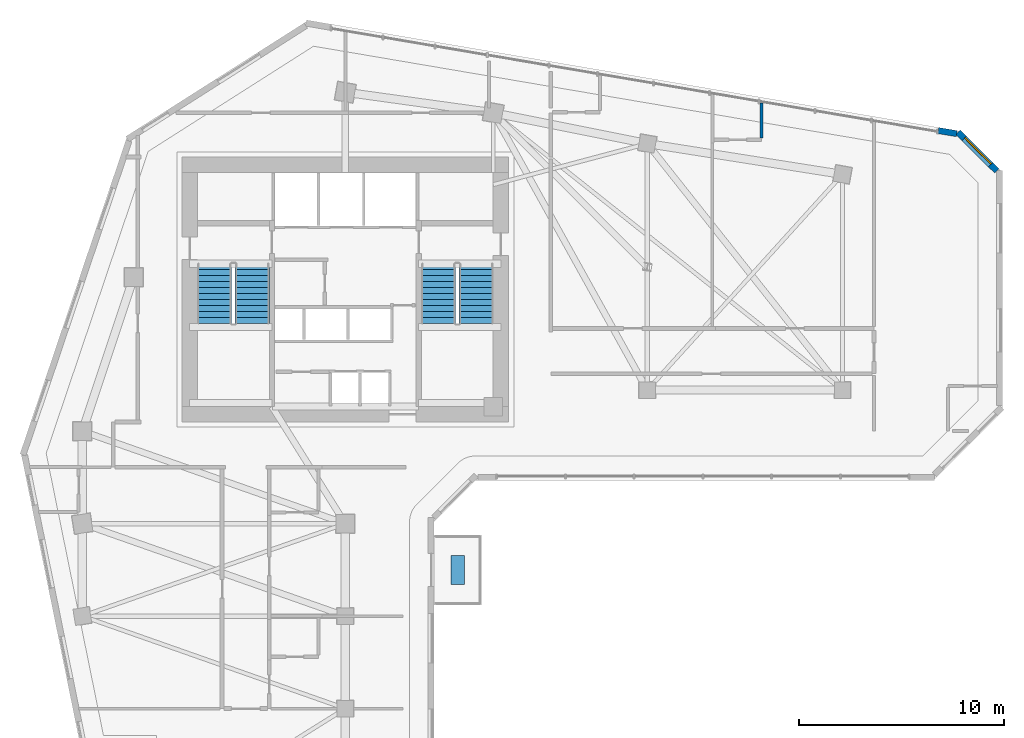
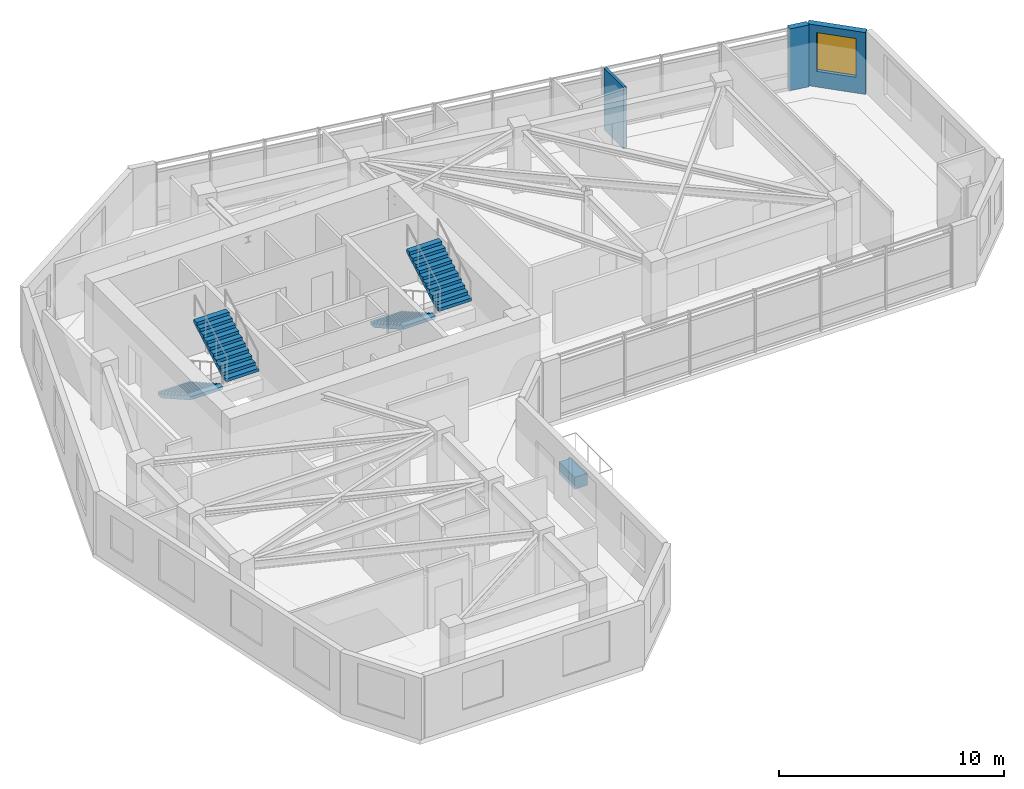
# One storey, part 7 of 10: 4 stair flights, 3 walls, 1 discrete accessory, 1 window, 1 opening, 2 elements without a shape of their own.
"""IFC4 building model written with IfcOpenShell, lengths in metres."""

from ifc_helpers import new_model, si_unit, direction, frame, frame_2d, origin, origin_2d, place, context, subcontext, project, spatial, polyline, rectangle, outline, extrude, source, transform, mapped, material, layer, layer_set, type_object, element, fill, aggregate, save


model = new_model("IFC4")

# Units and contexts
model_context = context("Model", 3, precision=1e-05, world=origin(), true_north=direction((0.0, 1.0)))
body_context = subcontext(model_context, "Body", "Model", "MODEL_VIEW")
ifc_project = project(units=[si_unit("LENGTHUNIT", "METRE"), si_unit("AREAUNIT", "SQUARE_METRE"), si_unit("VOLUMEUNIT", "CUBIC_METRE"), si_unit("PLANEANGLEUNIT", "RADIAN"), si_unit("MASSUNIT", "GRAM", prefix="KILO")], contexts=[model_context])

# Site, building, storey
site_placement = place(None, origin())
site = spatial("IfcSite", under=ifc_project, at=site_placement, CompositionType="ELEMENT")
building_placement = place(site_placement, origin())
building = spatial("IfcBuilding", under=site, at=building_placement, Name="Calvemar Wedge Station Tower", CompositionType="ELEMENT")
storey_placement = place(building_placement, frame((0.0, 0.0, 150.199951171875)))
storey = spatial("IfcBuildingStorey", under=building, at=storey_placement, Name="L37", CompositionType="ELEMENT", Elevation=150.199951171875)

# Wall, opening, window
ifc_material_1 = material(Name="Precast concrete C45", Category="concrete")
ifc_layer_1 = layer(ifc_material_1, 0.300048828125)
ifc_layer_set_1 = layer_set([ifc_layer_1], Name="Precast concrete C45")
wall_type_1 = type_object("IfcWallType", Name="W-EXT-GFRC-300", PredefinedType="SOLIDWALL", material=ifc_layer_set_1)
wall_1_placement = place(storey_placement, frame((55.511962890625, 45.66796875, 0.0), z_axis=(0.0, 0.0, 1.0), x_axis=(-0.707152443695, 0.707061115729, 0.0)))
wall_1 = element("IfcWall", 1, at=wall_1_placement, inside=storey, type_object=wall_type_1, Name="Storey L37 Bronze GFRC Exterior Wall 9", PredefinedType="SOLIDWALL", context=body_context, shape_type="SweptSolid", body=[
    extrude(rectangle(XDim=2.67333984375, YDim=0.300048828125, at=frame_2d((1.336669921875, 0.0))), origin(), (0.0, 0.0, 1.0), 3.35009765625),
])
shared_shape_1 = source(origin(), body_context, "Body", "SweptSolid", [
    extrude(rectangle(XDim=1.800048828125, YDim=2.10009765625, at=frame_2d((0.89990234375, 1.050048828125))), frame((0.0, 0.16015625, 0.0), z_axis=(0.0, -1.0, 0.0), x_axis=(1.0, 0.0, 0.0)), (0.0, 0.0, 1.0), 0.320068359375),
])
opening_placement = place(wall_1_placement, frame((0.43701171875, 0.0, 0.85009765625)))
opening = element("IfcOpeningElement", 2, at=opening_placement, cuts=wall_1, Name="Opening W2", PredefinedType="OPENING", context=body_context, shape_type="MappedRepresentation", body=[
    mapped(shared_shape_1, transform((0.0, 0.0, 0.0), scale=1.0)),
])
ifc_material_2 = material(Name="Low-E laminated insulated glass", Category="glass")
window_type = type_object("IfcWindowType", Name="WIN-EXT-2", PartitioningType="SINGLE_PANEL", PredefinedType="WINDOW", material=ifc_material_2)
shared_shape_2 = source(origin(), body_context, "Body", "SweptSolid", [
    extrude(rectangle(XDim=1.800048828125, YDim=2.10009765625, at=frame_2d((0.89990234375, 1.050048828125))), frame((0.0, -0.014892578125, 0.0), z_axis=(0.0, -1.0, 0.0), x_axis=(1.0, 0.0, 0.0)), (0.0, 0.0, 1.0), 0.06005859375),
])
window_placement = place(opening_placement, origin())
window = element("IfcWindow", 3, at=window_placement, inside=storey, type_object=window_type, Name="Storey L37 Recessed Window 9.1", OverallHeight=2.10009765625, OverallWidth=1.800048828125, PartitioningType="SINGLE_PANEL", PredefinedType="WINDOW", context=body_context, shape_type="MappedRepresentation", body=[
    mapped(shared_shape_2, transform((0.0, 0.0, 0.0), scale=1.0)),
])
fill(opening, window)

# Walls
wall_2_placement = place(storey_placement, frame((53.56103515625, 47.48046875, 0.0), z_axis=(0.0, 0.0, 1.0), x_axis=(-0.985836300899, 0.167710428506, 0.0)))
element("IfcWall", 4, at=wall_2_placement, inside=storey, type_object=wall_type_1, Name="Storey L37 Bronze GFRC Corner Pier 10A", PredefinedType="SOLIDWALL", context=body_context, shape_type="SweptSolid", body=[
    extrude(rectangle(XDim=0.908447265625, YDim=0.300048828125, at=frame_2d((0.4541015625, 0.0))), origin(), (0.0, 0.0, 1.0), 3.35009765625),
])
ifc_material_3 = material(Name="Moisture-resistant acoustic bathroom partition")
ifc_layer_2 = layer(ifc_material_3, 0.14990234375)
ifc_layer_set_2 = layer_set([ifc_layer_2], Name="Moisture-resistant acoustic bathroom partition")
wall_type_2 = type_object("IfcWallType", Name="W-WET-150", PredefinedType="PARTITIONING", material=ifc_layer_set_2)
wall_3_placement = place(storey_placement, frame((44.06689453125, 48.978515625, 0.0), z_axis=(0.0, 0.0, 1.0), x_axis=(0.0, -1.0, 0.0)))
element("IfcWall", 5, at=wall_3_placement, inside=storey, type_object=wall_type_2, Name="Storey L37 Interior Partition WL-L37-028", PredefinedType="PARTITIONING", context=body_context, shape_type="SweptSolid", body=[
    extrude(rectangle(XDim=1.712890625, YDim=0.14990234375, at=frame_2d((0.8564453125, 0.0))), origin(), (0.0, 0.0, 1.0), 3.35009765625),
])

# Stair, stair flights
ifc_material_4 = material(Name="Concrete C45", Category="concrete")
stair_type = type_object("IfcStairType", Name="ST-TYPE-3600", PredefinedType="HALF_TURN_STAIR", material=ifc_material_4)
stair_1_placement = place(storey_placement, origin())
stair_1 = element("IfcStair", 6, at=stair_1_placement, inside=storey, type_object=stair_type, Name="L37 Pressurized Core Exit Stair ST-C1", PredefinedType="HALF_TURN_STAIR")
stair_flight_type = type_object("IfcStairFlightType", Name="STF-TYPE-3600", PredefinedType="STRAIGHT", material=ifc_material_4)
stair_flight_1_placement = place(storey_placement, frame((17.429931640625, 41.14990234375, 0.0), z_axis=(0.0, 0.0, 1.0), x_axis=(0.0, -1.0, 0.0)))
stair_flight_1 = element("IfcStairFlight", 7, at=stair_flight_1_placement, type_object=stair_flight_type, Name="ST-C1 flight 1", NumberOfRisers=11, NumberOfTreads=10, PredefinedType="STRAIGHT", RiserHeight=0.163636364, TreadLength=0.29, context=body_context, shape_type="SweptSolid", body=[
    extrude(outline(polyline([(0.0, 0.0), (0.0, 0.16357421875), (0.2900390625, 0.16357421875), (0.2900390625, 0.327392578125), (0.580078125, 0.327392578125), (0.580078125, 0.490966796875), (0.8701171875, 0.490966796875), (0.8701171875, 0.654541015625), (1.159912109375, 0.654541015625), (1.159912109375, 0.818115234375), (1.449951171875, 0.818115234375), (1.449951171875, 0.98193359375), (1.739990234375, 0.98193359375), (1.739990234375, 1.1455078125), (2.030029296875, 1.1455078125), (2.030029296875, 1.30908203125), (2.320068359375, 1.30908203125), (2.320068359375, 1.47265625), (2.610107421875, 1.47265625), (2.610107421875, 1.636474609375), (2.89990234375, 1.636474609375), (2.89990234375, 1.800048828125), (2.89990234375, 1.46435546875), (0.304931640625, 0.0), (0.0, 0.0)])), frame((0.0, 0.830078125, 0.0), z_axis=(0.0, -1.0, 0.0), x_axis=(1.0, 0.0, 0.0)), (0.0, 0.0, 1.0), 1.659912109375),
])
stair_flight_2_placement = place(storey_placement, frame((19.27001953125, 38.25, 1.800048828125), z_axis=(0.0, 0.0, 1.0), x_axis=(0.0, 1.0, 0.0)))
stair_flight_2 = element("IfcStairFlight", 8, at=stair_flight_2_placement, type_object=stair_flight_type, Name="ST-C1 flight 2", NumberOfRisers=11, NumberOfTreads=10, PredefinedType="STRAIGHT", RiserHeight=0.163636364, TreadLength=0.29, context=body_context, shape_type="SweptSolid", body=[
    extrude(outline(polyline([(0.0, 0.0), (0.0, 0.16357421875), (0.2900390625, 0.16357421875), (0.2900390625, 0.327392578125), (0.580078125, 0.327392578125), (0.580078125, 0.490966796875), (0.8701171875, 0.490966796875), (0.8701171875, 0.654541015625), (1.159912109375, 0.654541015625), (1.159912109375, 0.818115234375), (1.449951171875, 0.818115234375), (1.449951171875, 0.98193359375), (1.739990234375, 0.98193359375), (1.739990234375, 1.1455078125), (2.030029296875, 1.1455078125), (2.030029296875, 1.30908203125), (2.320068359375, 1.30908203125), (2.320068359375, 1.47265625), (2.610107421875, 1.47265625), (2.610107421875, 1.636474609375), (2.89990234375, 1.636474609375), (2.89990234375, 1.800048828125), (2.89990234375, 1.46435546875), (0.304931640625, 0.0), (0.0, 0.0)])), frame((0.0, 0.830078125, 0.0), z_axis=(0.0, -1.0, 0.0), x_axis=(1.0, 0.0, 0.0)), (0.0, 0.0, 1.0), 1.659912109375),
])
aggregate(stair_1, [stair_flight_1, stair_flight_2])

stair_2_placement = place(storey_placement, origin())
stair_2 = element("IfcStair", 9, at=stair_2_placement, inside=storey, type_object=stair_type, Name="L37 Pressurized Core Exit Stair ST-C2", PredefinedType="HALF_TURN_STAIR")
stair_flight_3_placement = place(storey_placement, frame((28.330078125, 41.14990234375, 0.0), z_axis=(0.0, 0.0, 1.0), x_axis=(0.0, -1.0, 0.0)))
stair_flight_3 = element("IfcStairFlight", 10, at=stair_flight_3_placement, type_object=stair_flight_type, Name="ST-C2 flight 1", NumberOfRisers=11, NumberOfTreads=10, PredefinedType="STRAIGHT", RiserHeight=0.163636364, TreadLength=0.29, context=body_context, shape_type="SweptSolid", body=[
    extrude(outline(polyline([(0.0, 0.0), (0.0, 0.16357421875), (0.2900390625, 0.16357421875), (0.2900390625, 0.327392578125), (0.580078125, 0.327392578125), (0.580078125, 0.490966796875), (0.8701171875, 0.490966796875), (0.8701171875, 0.654541015625), (1.159912109375, 0.654541015625), (1.159912109375, 0.818115234375), (1.449951171875, 0.818115234375), (1.449951171875, 0.98193359375), (1.739990234375, 0.98193359375), (1.739990234375, 1.1455078125), (2.030029296875, 1.1455078125), (2.030029296875, 1.30908203125), (2.320068359375, 1.30908203125), (2.320068359375, 1.47265625), (2.610107421875, 1.47265625), (2.610107421875, 1.636474609375), (2.89990234375, 1.636474609375), (2.89990234375, 1.800048828125), (2.89990234375, 1.46435546875), (0.304931640625, 0.0), (0.0, 0.0)])), frame((0.0, 0.830078125, 0.0), z_axis=(0.0, -1.0, 0.0), x_axis=(1.0, 0.0, 0.0)), (0.0, 0.0, 1.0), 1.659912109375),
])
stair_flight_4_placement = place(storey_placement, frame((30.169921875, 38.25, 1.800048828125), z_axis=(0.0, 0.0, 1.0), x_axis=(0.0, 1.0, 0.0)))
stair_flight_4 = element("IfcStairFlight", 11, at=stair_flight_4_placement, type_object=stair_flight_type, Name="ST-C2 flight 2", NumberOfRisers=11, NumberOfTreads=10, PredefinedType="STRAIGHT", RiserHeight=0.163636364, TreadLength=0.29, context=body_context, shape_type="SweptSolid", body=[
    extrude(outline(polyline([(0.0, 0.0), (0.0, 0.16357421875), (0.2900390625, 0.16357421875), (0.2900390625, 0.327392578125), (0.580078125, 0.327392578125), (0.580078125, 0.490966796875), (0.8701171875, 0.490966796875), (0.8701171875, 0.654541015625), (1.159912109375, 0.654541015625), (1.159912109375, 0.818115234375), (1.449951171875, 0.818115234375), (1.449951171875, 0.98193359375), (1.739990234375, 0.98193359375), (1.739990234375, 1.1455078125), (2.030029296875, 1.1455078125), (2.030029296875, 1.30908203125), (2.320068359375, 1.30908203125), (2.320068359375, 1.47265625), (2.610107421875, 1.47265625), (2.610107421875, 1.636474609375), (2.89990234375, 1.636474609375), (2.89990234375, 1.800048828125), (2.89990234375, 1.46435546875), (0.304931640625, 0.0), (0.0, 0.0)])), frame((0.0, 0.830078125, 0.0), z_axis=(0.0, -1.0, 0.0), x_axis=(1.0, 0.0, 0.0)), (0.0, 0.0, 1.0), 1.659912109375),
])
aggregate(stair_2, [stair_flight_3, stair_flight_4])

# Discrete accessory
discrete_accessory_type = type_object("IfcDiscreteAccessoryType", Name="ACC-PLANTER", PredefinedType="USERDEFINED", material=ifc_material_1)
shared_shape_3 = source(origin(), body_context, "Body", "SweptSolid", [
    extrude(rectangle(XDim=0.64990234375, YDim=1.39990234375, at=origin_2d()), origin(), (0.0, 0.0, 1.0), 0.64990234375),
])
discrete_accessory_placement = place(storey_placement, frame((29.278076171875, 26.25, 0.0), z_axis=(0.0, 0.0, 1.0), x_axis=(1.0, 0.0, 0.0)))
element("IfcDiscreteAccessory", 12, at=discrete_accessory_placement, inside=storey, type_object=discrete_accessory_type, Name="Storey L37 Planted Terrace GFRC Planter", ObjectType="PLANTER", PredefinedType="USERDEFINED", context=body_context, shape_type="MappedRepresentation", body=[
    mapped(shared_shape_3, transform((0.0, 0.0, 0.0), scale=1.0)),
])

save(model, "model.ifc")
